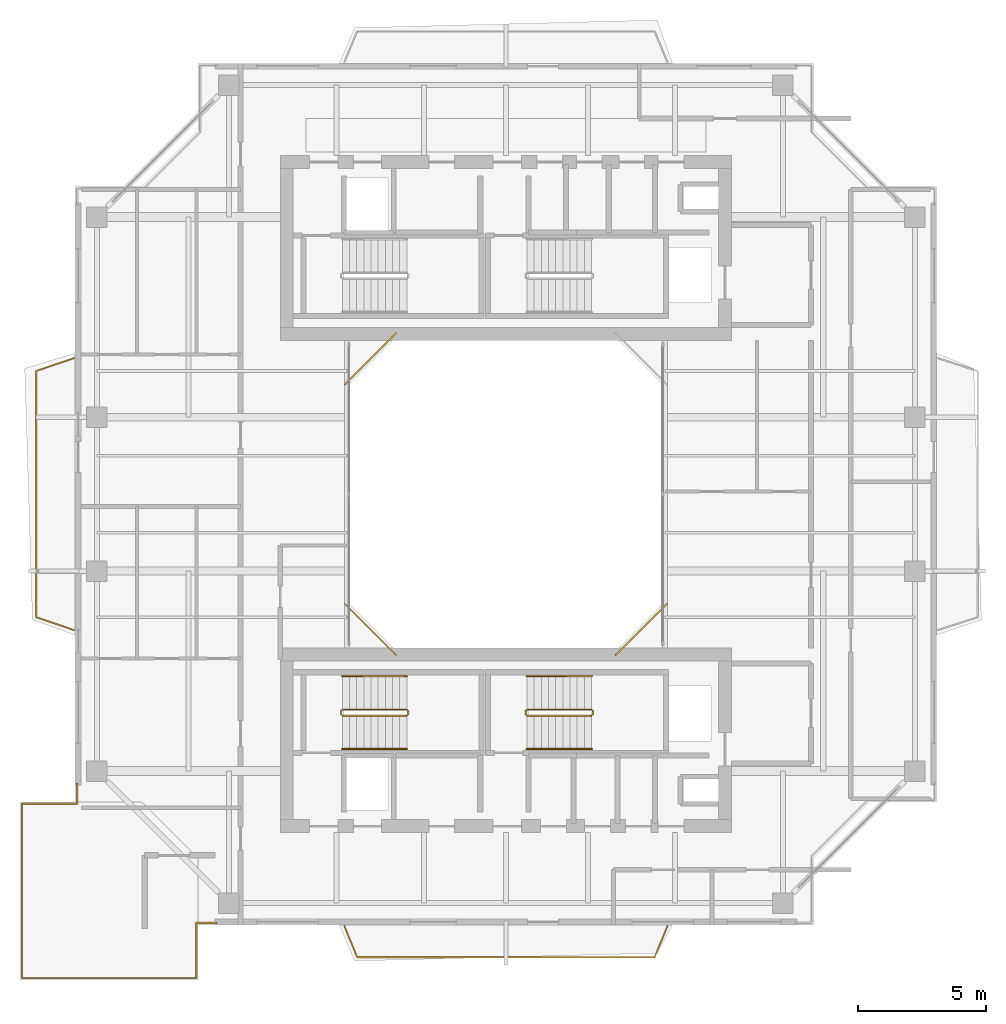
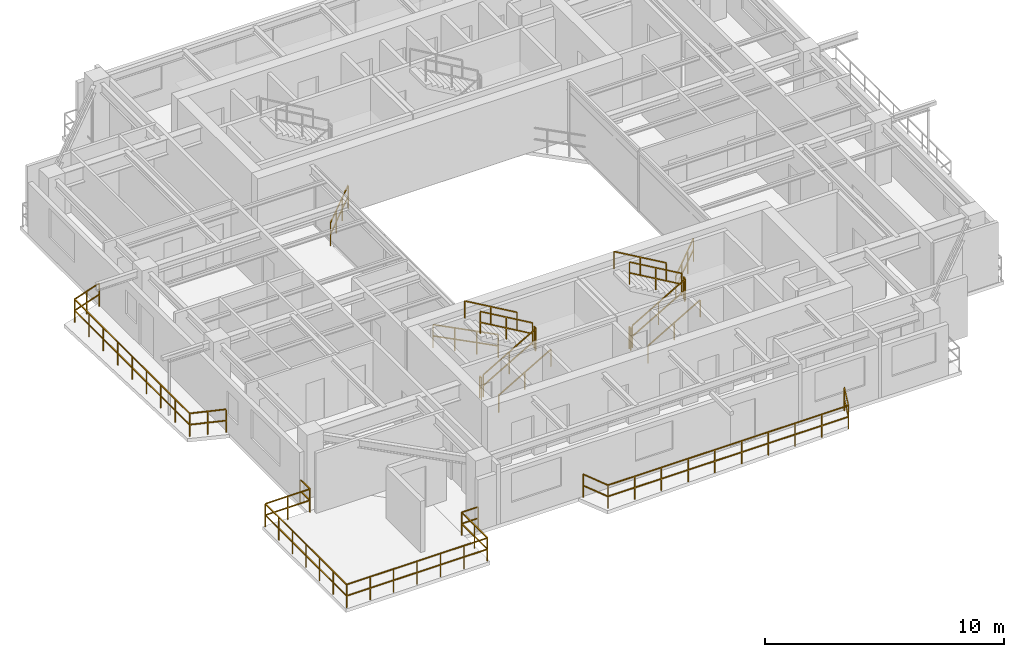
# One storey, part 13 of 15: 18 railings.
"""IFC4 building model written with IfcOpenShell, lengths in metres."""

from ifc_helpers import new_model, si_unit, direction, frame, origin, origin_2d, place, context, subcontext, project, spatial, rectangle, extrude, material, type_object, element, save


model = new_model("IFC4")

# Units and contexts
model_context = context("Model", 3, precision=1e-05, world=origin(), true_north=direction((0.0, 1.0)))
body_context = subcontext(model_context, "Body", "Model", "MODEL_VIEW")
ifc_project = project(units=[si_unit("LENGTHUNIT", "METRE"), si_unit("AREAUNIT", "SQUARE_METRE"), si_unit("VOLUMEUNIT", "CUBIC_METRE"), si_unit("PLANEANGLEUNIT", "RADIAN"), si_unit("MASSUNIT", "GRAM", prefix="KILO"), si_unit("THERMODYNAMICTEMPERATUREUNIT", "KELVIN"), si_unit("POWERUNIT", "WATT")], contexts=[model_context])

# Site, building, storey
site_placement = place(None, origin())
site = spatial("IfcSite", under=ifc_project, at=site_placement, CompositionType="ELEMENT")
building_placement = place(site_placement, origin())
building = spatial("IfcBuilding", under=site, at=building_placement, Name="Qiaomeng Ring Towers", CompositionType="ELEMENT")
storey_placement = place(building_placement, frame((0.0, 0.0, 193.75)))
storey = spatial("IfcBuildingStorey", under=building, at=storey_placement, Name="L56", CompositionType="ELEMENT", Elevation=193.75)

# Railings
ifc_material_1 = material(Name="Low-E pale-green laminated safety glass", Category="glass")
railing_type_1 = type_object("IfcRailingType", Name="ARC-RL-BAL1", PredefinedType="BALUSTRADE", material=ifc_material_1)
railing_1_placement = place(storey_placement, frame((23.280029296875, 16.719970703125, 0.0)))
element("IfcRailing", 1, at=railing_1_placement, inside=storey, type_object=railing_type_1, Name="L56 Balustrade ARC-BAL-WELL1-L56-1", PredefinedType="BALUSTRADE", context=body_context, shape_type="SweptSolid", body=[
    extrude(rectangle(XDim=0.048095703125, YDim=0.048095703125, at=origin_2d()), frame((0.0, 0.0, 1.17578125), z_axis=(0.707106781187, 0.707106781187, 0.0), x_axis=(-0.707106781187, 0.707106781187, 0.0)), (0.0, 0.0, 1.0), 2.828369140625),
    extrude(rectangle(XDim=0.048095703125, YDim=0.048095703125, at=origin_2d()), frame((0.0, 0.0, 0.60009765625), z_axis=(0.707106781187, 0.707106781187, 0.0), x_axis=(-0.707106781187, 0.707106781187, 0.0)), (0.0, 0.0, 1.0), 2.828369140625),
    extrude(rectangle(XDim=0.0419921875, YDim=0.0419921875, at=origin_2d()), origin(), (0.0, 0.0, 1.0), 1.15185546875),
    extrude(rectangle(XDim=0.0419921875, YDim=0.0419921875, at=origin_2d()), frame((0.666748046875, 0.666748046875, 0.0)), (0.0, 0.0, 1.0), 1.15185546875),
    extrude(rectangle(XDim=0.0419921875, YDim=0.0419921875, at=origin_2d()), frame((1.333251953125, 1.333251953125, 0.0)), (0.0, 0.0, 1.0), 1.15185546875),
    extrude(rectangle(XDim=0.0419921875, YDim=0.0419921875, at=origin_2d()), frame((2.0, 2.0, 0.0)), (0.0, 0.0, 1.0), 1.15185546875),
])
railing_2_placement = place(storey_placement, frame((14.719970703125, 29.280029296875, 0.0)))
element("IfcRailing", 2, at=railing_2_placement, inside=storey, type_object=railing_type_1, Name="L56 Balustrade ARC-BAL-WELL1-L56-3", PredefinedType="BALUSTRADE", context=body_context, shape_type="SweptSolid", body=[
    extrude(rectangle(XDim=0.048095703125, YDim=0.048095703125, at=origin_2d()), frame((0.0, 0.0, 1.17578125), z_axis=(-0.707106781187, -0.707106781187, 0.0), x_axis=(0.707106781187, -0.707106781187, 0.0)), (0.0, 0.0, 1.0), 2.828369140625),
    extrude(rectangle(XDim=0.048095703125, YDim=0.048095703125, at=origin_2d()), frame((0.0, 0.0, 0.60009765625), z_axis=(-0.707106781187, -0.707106781187, 0.0), x_axis=(0.707106781187, -0.707106781187, 0.0)), (0.0, 0.0, 1.0), 2.828369140625),
    extrude(rectangle(XDim=0.0419921875, YDim=0.0419921875, at=origin_2d()), origin(), (0.0, 0.0, 1.0), 1.15185546875),
    extrude(rectangle(XDim=0.0419921875, YDim=0.0419921875, at=origin_2d()), frame((-0.666748046875, -0.666748046875, 0.0)), (0.0, 0.0, 1.0), 1.15185546875),
    extrude(rectangle(XDim=0.0419921875, YDim=0.0419921875, at=origin_2d()), frame((-1.333251953125, -1.333251953125, 0.0)), (0.0, 0.0, 1.0), 1.15185546875),
    extrude(rectangle(XDim=0.0419921875, YDim=0.0419921875, at=origin_2d()), frame((-2.0, -2.0, 0.0)), (0.0, 0.0, 1.0), 1.15185546875),
])
railing_3_placement = place(storey_placement, frame((12.719970703125, 18.719970703125, 0.0)))
element("IfcRailing", 3, at=railing_3_placement, inside=storey, type_object=railing_type_1, Name="L56 Balustrade ARC-BAL-WELL1-L56-4", PredefinedType="BALUSTRADE", context=body_context, shape_type="SweptSolid", body=[
    extrude(rectangle(XDim=0.048095703125, YDim=0.048095703125, at=origin_2d()), frame((0.0, 0.0, 1.17578125), z_axis=(0.707106781187, -0.707106781187, 0.0), x_axis=(0.707106781187, 0.707106781187, 0.0)), (0.0, 0.0, 1.0), 2.828369140625),
    extrude(rectangle(XDim=0.048095703125, YDim=0.048095703125, at=origin_2d()), frame((0.0, 0.0, 0.60009765625), z_axis=(0.707106781187, -0.707106781187, 0.0), x_axis=(0.707106781187, 0.707106781187, 0.0)), (0.0, 0.0, 1.0), 2.828369140625),
    extrude(rectangle(XDim=0.0419921875, YDim=0.0419921875, at=origin_2d()), origin(), (0.0, 0.0, 1.0), 1.15185546875),
    extrude(rectangle(XDim=0.0419921875, YDim=0.0419921875, at=origin_2d()), frame((0.666748046875, -0.666748046875, 0.0)), (0.0, 0.0, 1.0), 1.15185546875),
    extrude(rectangle(XDim=0.0419921875, YDim=0.0419921875, at=origin_2d()), frame((1.333251953125, -1.333251953125, 0.0)), (0.0, 0.0, 1.0), 1.15185546875),
    extrude(rectangle(XDim=0.0419921875, YDim=0.0419921875, at=origin_2d()), frame((2.0, -2.0, 0.0)), (0.0, 0.0, 1.0), 1.15185546875),
])
railing_4_placement = place(storey_placement, frame((2.280029296875, 11.719970703125, 0.0)))
element("IfcRailing", 4, at=railing_4_placement, inside=storey, type_object=railing_type_1, Name="L56 Balustrade ARC-BAL-L56-SPIRAL-SW", PredefinedType="BALUSTRADE", context=body_context, shape_type="SweptSolid", body=[
    extrude(rectangle(XDim=0.048095703125, YDim=0.048095703125, at=origin_2d()), frame((0.0, 0.0, 1.17578125), z_axis=(0.0, -1.0, 0.0), x_axis=(1.0, 0.0, 0.0)), (0.0, 0.0, 1.0), 0.800048828125),
    extrude(rectangle(XDim=0.048095703125, YDim=0.048095703125, at=origin_2d()), frame((0.0, 0.0, 0.60009765625), z_axis=(0.0, -1.0, 0.0), x_axis=(1.0, 0.0, 0.0)), (0.0, 0.0, 1.0), 0.800048828125),
    extrude(rectangle(XDim=0.048095703125, YDim=0.048095703125, at=origin_2d()), frame((0.0, -0.800048828125, 1.17578125), z_axis=(-1.0, 0.0, 0.0), x_axis=(0.0, -1.0, 0.0)), (0.0, 0.0, 1.0), 2.150146484375),
    extrude(rectangle(XDim=0.048095703125, YDim=0.048095703125, at=origin_2d()), frame((0.0, -0.800048828125, 0.60009765625), z_axis=(-1.0, 0.0, 0.0), x_axis=(0.0, -1.0, 0.0)), (0.0, 0.0, 1.0), 2.150146484375),
    extrude(rectangle(XDim=0.048095703125, YDim=0.048095703125, at=origin_2d()), frame((-2.150146484375, -0.800048828125, 1.17578125), z_axis=(0.0, -1.0, 0.0), x_axis=(1.0, 0.0, 0.0)), (0.0, 0.0, 1.0), 6.7900390625),
    extrude(rectangle(XDim=0.048095703125, YDim=0.048095703125, at=origin_2d()), frame((-2.150146484375, -0.800048828125, 0.60009765625), z_axis=(0.0, -1.0, 0.0), x_axis=(1.0, 0.0, 0.0)), (0.0, 0.0, 1.0), 6.7900390625),
    extrude(rectangle(XDim=0.048095703125, YDim=0.048095703125, at=origin_2d()), frame((-2.150146484375, -7.590087890625, 1.17578125), z_axis=(1.0, 0.0, 0.0), x_axis=(0.0, 1.0, 0.0)), (0.0, 0.0, 1.0), 6.7900390625),
    extrude(rectangle(XDim=0.048095703125, YDim=0.048095703125, at=origin_2d()), frame((-2.150146484375, -7.590087890625, 0.60009765625), z_axis=(1.0, 0.0, 0.0), x_axis=(0.0, 1.0, 0.0)), (0.0, 0.0, 1.0), 6.7900390625),
    extrude(rectangle(XDim=0.048095703125, YDim=0.048095703125, at=origin_2d()), frame((4.639892578125, -7.590087890625, 1.17578125), z_axis=(0.0, 1.0, 0.0), x_axis=(-1.0, 0.0, 0.0)), (0.0, 0.0, 1.0), 2.150146484375),
    extrude(rectangle(XDim=0.048095703125, YDim=0.048095703125, at=origin_2d()), frame((4.639892578125, -7.590087890625, 0.60009765625), z_axis=(0.0, 1.0, 0.0), x_axis=(-1.0, 0.0, 0.0)), (0.0, 0.0, 1.0), 2.150146484375),
    extrude(rectangle(XDim=0.048095703125, YDim=0.048095703125, at=origin_2d()), frame((4.639892578125, -5.43994140625, 1.17578125), z_axis=(1.0, 0.0, 0.0), x_axis=(0.0, 1.0, 0.0)), (0.0, 0.0, 1.0), 0.800048828125),
    extrude(rectangle(XDim=0.048095703125, YDim=0.048095703125, at=origin_2d()), frame((4.639892578125, -5.43994140625, 0.60009765625), z_axis=(1.0, 0.0, 0.0), x_axis=(0.0, 1.0, 0.0)), (0.0, 0.0, 1.0), 0.800048828125),
    extrude(rectangle(XDim=0.0419921875, YDim=0.0419921875, at=origin_2d()), origin(), (0.0, 0.0, 1.0), 1.15185546875),
    extrude(rectangle(XDim=0.0419921875, YDim=0.0419921875, at=origin_2d()), frame((0.0, -0.800048828125, 0.0)), (0.0, 0.0, 1.0), 1.15185546875),
    extrude(rectangle(XDim=0.0419921875, YDim=0.0419921875, at=origin_2d()), frame((-1.0751953125, -0.800048828125, 0.0)), (0.0, 0.0, 1.0), 1.15185546875),
    extrude(rectangle(XDim=0.0419921875, YDim=0.0419921875, at=origin_2d()), frame((-2.150146484375, -0.800048828125, 0.0)), (0.0, 0.0, 1.0), 1.15185546875),
    extrude(rectangle(XDim=0.0419921875, YDim=0.0419921875, at=origin_2d()), frame((-2.150146484375, -1.931640625, 0.0)), (0.0, 0.0, 1.0), 1.15185546875),
    extrude(rectangle(XDim=0.0419921875, YDim=0.0419921875, at=origin_2d()), frame((-2.150146484375, -3.0634765625, 0.0)), (0.0, 0.0, 1.0), 1.15185546875),
    extrude(rectangle(XDim=0.0419921875, YDim=0.0419921875, at=origin_2d()), frame((-2.150146484375, -4.195068359375, 0.0)), (0.0, 0.0, 1.0), 1.15185546875),
    extrude(rectangle(XDim=0.0419921875, YDim=0.0419921875, at=origin_2d()), frame((-2.150146484375, -5.32666015625, 0.0)), (0.0, 0.0, 1.0), 1.15185546875),
    extrude(rectangle(XDim=0.0419921875, YDim=0.0419921875, at=origin_2d()), frame((-2.150146484375, -6.45849609375, 0.0)), (0.0, 0.0, 1.0), 1.15185546875),
    extrude(rectangle(XDim=0.0419921875, YDim=0.0419921875, at=origin_2d()), frame((-2.150146484375, -7.590087890625, 0.0)), (0.0, 0.0, 1.0), 1.15185546875),
    extrude(rectangle(XDim=0.0419921875, YDim=0.0419921875, at=origin_2d()), frame((-1.0185546875, -7.590087890625, 0.0)), (0.0, 0.0, 1.0), 1.15185546875),
    extrude(rectangle(XDim=0.0419921875, YDim=0.0419921875, at=origin_2d()), frame((0.11328125, -7.590087890625, 0.0)), (0.0, 0.0, 1.0), 1.15185546875),
    extrude(rectangle(XDim=0.0419921875, YDim=0.0419921875, at=origin_2d()), frame((1.244873046875, -7.590087890625, 0.0)), (0.0, 0.0, 1.0), 1.15185546875),
    extrude(rectangle(XDim=0.0419921875, YDim=0.0419921875, at=origin_2d()), frame((2.37646484375, -7.590087890625, 0.0)), (0.0, 0.0, 1.0), 1.15185546875),
    extrude(rectangle(XDim=0.0419921875, YDim=0.0419921875, at=origin_2d()), frame((3.50830078125, -7.590087890625, 0.0)), (0.0, 0.0, 1.0), 1.15185546875),
    extrude(rectangle(XDim=0.0419921875, YDim=0.0419921875, at=origin_2d()), frame((4.639892578125, -7.590087890625, 0.0)), (0.0, 0.0, 1.0), 1.15185546875),
    extrude(rectangle(XDim=0.0419921875, YDim=0.0419921875, at=origin_2d()), frame((4.639892578125, -6.51513671875, 0.0)), (0.0, 0.0, 1.0), 1.15185546875),
    extrude(rectangle(XDim=0.0419921875, YDim=0.0419921875, at=origin_2d()), frame((4.639892578125, -5.43994140625, 0.0)), (0.0, 0.0, 1.0), 1.15185546875),
    extrude(rectangle(XDim=0.0419921875, YDim=0.0419921875, at=origin_2d()), frame((5.43994140625, -5.43994140625, 0.0)), (0.0, 0.0, 1.0), 1.15185546875),
])
railing_5_placement = place(storey_placement, frame((12.699951171875, 6.14990234375, 0.0)))
element("IfcRailing", 5, at=railing_5_placement, inside=storey, type_object=railing_type_1, Name="L56 Balustrade ARC-BAL-L56-T1-S", PredefinedType="BALUSTRADE", context=body_context, shape_type="SweptSolid", body=[
    extrude(rectangle(XDim=0.048095703125, YDim=0.048095703125, at=origin_2d()), frame((0.0, 0.0, 1.17578125), z_axis=(0.381912525892, -0.924198475743, 0.0), x_axis=(0.924198475743, 0.381912525892, 0.0)), (0.0, 0.0, 1.0), 1.30908203125),
    extrude(rectangle(XDim=0.048095703125, YDim=0.048095703125, at=origin_2d()), frame((0.0, 0.0, 0.60009765625), z_axis=(0.381912525892, -0.924198475743, 0.0), x_axis=(0.924198475743, 0.381912525892, 0.0)), (0.0, 0.0, 1.0), 1.30908203125),
    extrude(rectangle(XDim=0.048095703125, YDim=0.048095703125, at=origin_2d()), frame((0.5, -1.2099609375, 1.17578125), z_axis=(1.0, 0.0, 0.0), x_axis=(0.0, 1.0, 0.0)), (0.0, 0.0, 1.0), 11.60009765625),
    extrude(rectangle(XDim=0.048095703125, YDim=0.048095703125, at=origin_2d()), frame((0.5, -1.2099609375, 0.60009765625), z_axis=(1.0, 0.0, 0.0), x_axis=(0.0, 1.0, 0.0)), (0.0, 0.0, 1.0), 11.60009765625),
    extrude(rectangle(XDim=0.048095703125, YDim=0.048095703125, at=origin_2d()), frame((12.10009765625, -1.2099609375, 1.17578125), z_axis=(0.381912525892, 0.924198475743, 0.0), x_axis=(-0.924198475743, 0.381912525892, 0.0)), (0.0, 0.0, 1.0), 1.30908203125),
    extrude(rectangle(XDim=0.048095703125, YDim=0.048095703125, at=origin_2d()), frame((12.10009765625, -1.2099609375, 0.60009765625), z_axis=(0.381912525892, 0.924198475743, 0.0), x_axis=(-0.924198475743, 0.381912525892, 0.0)), (0.0, 0.0, 1.0), 1.30908203125),
    extrude(rectangle(XDim=0.0419921875, YDim=0.0419921875, at=origin_2d()), origin(), (0.0, 0.0, 1.0), 1.15185546875),
    extrude(rectangle(XDim=0.0419921875, YDim=0.0419921875, at=origin_2d()), frame((0.5, -1.2099609375, 0.0)), (0.0, 0.0, 1.0), 1.15185546875),
    extrude(rectangle(XDim=0.0419921875, YDim=0.0419921875, at=origin_2d()), frame((1.788818359375, -1.2099609375, 0.0)), (0.0, 0.0, 1.0), 1.15185546875),
    extrude(rectangle(XDim=0.0419921875, YDim=0.0419921875, at=origin_2d()), frame((3.077880859375, -1.2099609375, 0.0)), (0.0, 0.0, 1.0), 1.15185546875),
    extrude(rectangle(XDim=0.0419921875, YDim=0.0419921875, at=origin_2d()), frame((4.36669921875, -1.2099609375, 0.0)), (0.0, 0.0, 1.0), 1.15185546875),
    extrude(rectangle(XDim=0.0419921875, YDim=0.0419921875, at=origin_2d()), frame((5.655517578125, -1.2099609375, 0.0)), (0.0, 0.0, 1.0), 1.15185546875),
    extrude(rectangle(XDim=0.0419921875, YDim=0.0419921875, at=origin_2d()), frame((6.944580078125, -1.2099609375, 0.0)), (0.0, 0.0, 1.0), 1.15185546875),
    extrude(rectangle(XDim=0.0419921875, YDim=0.0419921875, at=origin_2d()), frame((8.2333984375, -1.2099609375, 0.0)), (0.0, 0.0, 1.0), 1.15185546875),
    extrude(rectangle(XDim=0.0419921875, YDim=0.0419921875, at=origin_2d()), frame((9.522216796875, -1.2099609375, 0.0)), (0.0, 0.0, 1.0), 1.15185546875),
    extrude(rectangle(XDim=0.0419921875, YDim=0.0419921875, at=origin_2d()), frame((10.811279296875, -1.2099609375, 0.0)), (0.0, 0.0, 1.0), 1.15185546875),
    extrude(rectangle(XDim=0.0419921875, YDim=0.0419921875, at=origin_2d()), frame((12.10009765625, -1.2099609375, 0.0)), (0.0, 0.0, 1.0), 1.15185546875),
    extrude(rectangle(XDim=0.0419921875, YDim=0.0419921875, at=origin_2d()), frame((12.60009765625, 0.0, 0.0)), (0.0, 0.0, 1.0), 1.15185546875),
])
railing_6_placement = place(storey_placement, frame((2.14990234375, 17.699951171875, 0.0)))
element("IfcRailing", 6, at=railing_6_placement, inside=storey, type_object=railing_type_1, Name="L56 Balustrade ARC-BAL-L56-T1-W", PredefinedType="BALUSTRADE", context=body_context, shape_type="SweptSolid", body=[
    extrude(rectangle(XDim=0.048095703125, YDim=0.048095703125, at=origin_2d()), frame((0.0, 0.0, 1.17578125), z_axis=(-0.946731524739, 0.322023943309, 0.0), x_axis=(-0.322023943309, -0.946731524739, 0.0)), (0.0, 0.0, 1.0), 1.552734375),
    extrude(rectangle(XDim=0.048095703125, YDim=0.048095703125, at=origin_2d()), frame((0.0, 0.0, 0.60009765625), z_axis=(-0.946731524739, 0.322023943309, 0.0), x_axis=(-0.322023943309, -0.946731524739, 0.0)), (0.0, 0.0, 1.0), 1.552734375),
    extrude(rectangle(XDim=0.048095703125, YDim=0.048095703125, at=origin_2d()), frame((-1.469970703125, 0.5, 1.17578125), z_axis=(0.0, 1.0, 0.0), x_axis=(-1.0, 0.0, 0.0)), (0.0, 0.0, 1.0), 9.60009765625),
    extrude(rectangle(XDim=0.048095703125, YDim=0.048095703125, at=origin_2d()), frame((-1.469970703125, 0.5, 0.60009765625), z_axis=(0.0, 1.0, 0.0), x_axis=(-1.0, 0.0, 0.0)), (0.0, 0.0, 1.0), 9.60009765625),
    extrude(rectangle(XDim=0.048095703125, YDim=0.048095703125, at=origin_2d()), frame((-1.469970703125, 10.10009765625, 1.17578125), z_axis=(0.946731524739, 0.322023943309, 0.0), x_axis=(-0.322023943309, 0.946731524739, 0.0)), (0.0, 0.0, 1.0), 1.552734375),
    extrude(rectangle(XDim=0.048095703125, YDim=0.048095703125, at=origin_2d()), frame((-1.469970703125, 10.10009765625, 0.60009765625), z_axis=(0.946731524739, 0.322023943309, 0.0), x_axis=(-0.322023943309, 0.946731524739, 0.0)), (0.0, 0.0, 1.0), 1.552734375),
    extrude(rectangle(XDim=0.0419921875, YDim=0.0419921875, at=origin_2d()), origin(), (0.0, 0.0, 1.0), 1.15185546875),
    extrude(rectangle(XDim=0.0419921875, YDim=0.0419921875, at=origin_2d()), frame((-0.73486328125, 0.25, 0.0)), (0.0, 0.0, 1.0), 1.15185546875),
    extrude(rectangle(XDim=0.0419921875, YDim=0.0419921875, at=origin_2d()), frame((-1.469970703125, 0.5, 0.0)), (0.0, 0.0, 1.0), 1.15185546875),
    extrude(rectangle(XDim=0.0419921875, YDim=0.0419921875, at=origin_2d()), frame((-1.469970703125, 1.699951171875, 0.0)), (0.0, 0.0, 1.0), 1.15185546875),
    extrude(rectangle(XDim=0.0419921875, YDim=0.0419921875, at=origin_2d()), frame((-1.469970703125, 2.89990234375, 0.0)), (0.0, 0.0, 1.0), 1.15185546875),
    extrude(rectangle(XDim=0.0419921875, YDim=0.0419921875, at=origin_2d()), frame((-1.469970703125, 4.10009765625, 0.0)), (0.0, 0.0, 1.0), 1.15185546875),
    extrude(rectangle(XDim=0.0419921875, YDim=0.0419921875, at=origin_2d()), frame((-1.469970703125, 5.300048828125, 0.0)), (0.0, 0.0, 1.0), 1.15185546875),
    extrude(rectangle(XDim=0.0419921875, YDim=0.0419921875, at=origin_2d()), frame((-1.469970703125, 6.5, 0.0)), (0.0, 0.0, 1.0), 1.15185546875),
    extrude(rectangle(XDim=0.0419921875, YDim=0.0419921875, at=origin_2d()), frame((-1.469970703125, 7.7001953125, 0.0)), (0.0, 0.0, 1.0), 1.15185546875),
    extrude(rectangle(XDim=0.0419921875, YDim=0.0419921875, at=origin_2d()), frame((-1.469970703125, 8.900146484375, 0.0)), (0.0, 0.0, 1.0), 1.15185546875),
    extrude(rectangle(XDim=0.0419921875, YDim=0.0419921875, at=origin_2d()), frame((-1.469970703125, 10.10009765625, 0.0)), (0.0, 0.0, 1.0), 1.15185546875),
    extrude(rectangle(XDim=0.0419921875, YDim=0.0419921875, at=origin_2d()), frame((-0.73486328125, 10.35009765625, 0.0)), (0.0, 0.0, 1.0), 1.15185546875),
    extrude(rectangle(XDim=0.0419921875, YDim=0.0419921875, at=origin_2d()), frame((0.0, 10.60009765625, 0.0)), (0.0, 0.0, 1.0), 1.15185546875),
])
ifc_material_2 = material(Name="Galvanised steel", Category="steel")
railing_type_2 = type_object("IfcRailingType", Name="ARC-RL-GUARD", PredefinedType="GUARDRAIL", material=ifc_material_2)
railing_7_placement = place(storey_placement, frame((12.6201171875, 14.360107421875, 0.16259765625)))
element("IfcRailing", 7, at=railing_7_placement, inside=storey, type_object=railing_type_2, Name="L56 ST3 stair guard 1", PredefinedType="GUARDRAIL", context=body_context, shape_type="SweptSolid", body=[
    extrude(rectangle(XDim=0.048095703125, YDim=0.048095703125, at=origin_2d()), frame((0.0, 0.0, 1.1259765625), z_axis=(0.864892226395, 0.0, 0.501957604506), x_axis=(0.0, 1.0, 0.0)), (0.0, 0.0, 1.0), 2.913330078125),
    extrude(rectangle(XDim=0.048095703125, YDim=0.048095703125, at=origin_2d()), frame((0.0, 0.0, 0.574951171875), z_axis=(0.864892226395, 0.0, 0.501957604506), x_axis=(0.0, 1.0, 0.0)), (0.0, 0.0, 1.0), 2.913330078125),
    extrude(rectangle(XDim=0.0419921875, YDim=0.0419921875, at=origin_2d()), origin(), (0.0, 0.0, 1.0), 1.101806640625),
    extrude(rectangle(XDim=0.0419921875, YDim=0.0419921875, at=origin_2d()), frame((1.259765625, 0.0, 0.731201171875)), (0.0, 0.0, 1.0), 1.101806640625),
    extrude(rectangle(XDim=0.0419921875, YDim=0.0419921875, at=origin_2d()), frame((2.519775390625, 0.0, 1.46240234375)), (0.0, 0.0, 1.0), 1.101806640625),
])
railing_8_placement = place(storey_placement, frame((15.18994140625, 14.409912109375, 1.625)))
element("IfcRailing", 8, at=railing_8_placement, inside=storey, type_object=railing_type_2, Name="L56 ST3 stair guard 2", PredefinedType="GUARDRAIL", context=body_context, shape_type="SweptSolid", body=[
    extrude(rectangle(XDim=0.048095703125, YDim=0.048095703125, at=origin_2d()), frame((0.0, 0.0, 1.1259765625), z_axis=(0.0, 1.0, 0.0), x_axis=(-1.0, 0.0, 0.0)), (0.0, 0.0, 1.0), 0.14013671875),
    extrude(rectangle(XDim=0.048095703125, YDim=0.048095703125, at=origin_2d()), frame((0.0, 0.0, 0.574951171875), z_axis=(0.0, 1.0, 0.0), x_axis=(-1.0, 0.0, 0.0)), (0.0, 0.0, 1.0), 0.14013671875),
    extrude(rectangle(XDim=0.0419921875, YDim=0.0419921875, at=origin_2d()), origin(), (0.0, 0.0, 1.0), 1.101806640625),
    extrude(rectangle(XDim=0.0419921875, YDim=0.0419921875, at=origin_2d()), frame((0.0, 0.14013671875, 0.0)), (0.0, 0.0, 1.0), 1.101806640625),
])
railing_9_placement = place(storey_placement, frame((15.139892578125, 14.60009765625, 1.78759765625)))
element("IfcRailing", 9, at=railing_9_placement, inside=storey, type_object=railing_type_2, Name="L56 ST3 stair guard 3", PredefinedType="GUARDRAIL", context=body_context, shape_type="SweptSolid", body=[
    extrude(rectangle(XDim=0.048095703125, YDim=0.048095703125, at=origin_2d()), frame((0.0, 0.0, 1.1259765625), z_axis=(-0.864892226395, 0.0, 0.501957604506), x_axis=(0.0, -1.0, 0.0)), (0.0, 0.0, 1.0), 2.913330078125),
    extrude(rectangle(XDim=0.048095703125, YDim=0.048095703125, at=origin_2d()), frame((0.0, 0.0, 0.574951171875), z_axis=(-0.864892226395, 0.0, 0.501957604506), x_axis=(0.0, -1.0, 0.0)), (0.0, 0.0, 1.0), 2.913330078125),
    extrude(rectangle(XDim=0.0419921875, YDim=0.0419921875, at=origin_2d()), origin(), (0.0, 0.0, 1.0), 1.101806640625),
    extrude(rectangle(XDim=0.0419921875, YDim=0.0419921875, at=origin_2d()), frame((-1.259765625, 0.0, 0.731201171875)), (0.0, 0.0, 1.0), 1.101806640625),
    extrude(rectangle(XDim=0.0419921875, YDim=0.0419921875, at=origin_2d()), frame((-2.519775390625, 0.0, 1.46240234375)), (0.0, 0.0, 1.0), 1.101806640625),
])
railing_10_placement = place(storey_placement, frame((12.570068359375, 14.409912109375, 0.0)))
element("IfcRailing", 10, at=railing_10_placement, inside=storey, type_object=railing_type_2, Name="L56 ST3 stair guard 4", PredefinedType="GUARDRAIL", context=body_context, shape_type="SweptSolid", body=[
    extrude(rectangle(XDim=0.048095703125, YDim=0.048095703125, at=origin_2d()), frame((0.0, 0.0, 1.1259765625), z_axis=(0.0, 1.0, 0.0), x_axis=(-1.0, 0.0, 0.0)), (0.0, 0.0, 1.0), 0.14013671875),
    extrude(rectangle(XDim=0.048095703125, YDim=0.048095703125, at=origin_2d()), frame((0.0, 0.0, 0.574951171875), z_axis=(0.0, 1.0, 0.0), x_axis=(-1.0, 0.0, 0.0)), (0.0, 0.0, 1.0), 0.14013671875),
    extrude(rectangle(XDim=0.0419921875, YDim=0.0419921875, at=origin_2d()), origin(), (0.0, 0.0, 1.0), 1.101806640625),
    extrude(rectangle(XDim=0.0419921875, YDim=0.0419921875, at=origin_2d()), frame((0.0, 0.14013671875, 0.0)), (0.0, 0.0, 1.0), 1.101806640625),
])
railing_11_placement = place(storey_placement, frame((19.820068359375, 14.360107421875, 0.16259765625)))
element("IfcRailing", 11, at=railing_11_placement, inside=storey, type_object=railing_type_2, Name="L56 ST4 stair guard 1", PredefinedType="GUARDRAIL", context=body_context, shape_type="SweptSolid", body=[
    extrude(rectangle(XDim=0.048095703125, YDim=0.048095703125, at=origin_2d()), frame((0.0, 0.0, 1.1259765625), z_axis=(0.864913338283, 0.0, 0.50192122615), x_axis=(0.0, 1.0, 0.0)), (0.0, 0.0, 1.0), 2.91357421875),
    extrude(rectangle(XDim=0.048095703125, YDim=0.048095703125, at=origin_2d()), frame((0.0, 0.0, 0.574951171875), z_axis=(0.864913338283, 0.0, 0.50192122615), x_axis=(0.0, 1.0, 0.0)), (0.0, 0.0, 1.0), 2.91357421875),
    extrude(rectangle(XDim=0.0419921875, YDim=0.0419921875, at=origin_2d()), origin(), (0.0, 0.0, 1.0), 1.101806640625),
    extrude(rectangle(XDim=0.0419921875, YDim=0.0419921875, at=origin_2d()), frame((1.260009765625, 0.0, 0.731201171875)), (0.0, 0.0, 1.0), 1.101806640625),
    extrude(rectangle(XDim=0.0419921875, YDim=0.0419921875, at=origin_2d()), frame((2.52001953125, 0.0, 1.46240234375)), (0.0, 0.0, 1.0), 1.101806640625),
])
railing_12_placement = place(storey_placement, frame((22.389892578125, 14.409912109375, 1.625)))
element("IfcRailing", 12, at=railing_12_placement, inside=storey, type_object=railing_type_2, Name="L56 ST4 stair guard 2", PredefinedType="GUARDRAIL", context=body_context, shape_type="SweptSolid", body=[
    extrude(rectangle(XDim=0.048095703125, YDim=0.048095703125, at=origin_2d()), frame((0.0, 0.0, 1.1259765625), z_axis=(0.0, 1.0, 0.0), x_axis=(-1.0, 0.0, 0.0)), (0.0, 0.0, 1.0), 0.14013671875),
    extrude(rectangle(XDim=0.048095703125, YDim=0.048095703125, at=origin_2d()), frame((0.0, 0.0, 0.574951171875), z_axis=(0.0, 1.0, 0.0), x_axis=(-1.0, 0.0, 0.0)), (0.0, 0.0, 1.0), 0.14013671875),
    extrude(rectangle(XDim=0.0419921875, YDim=0.0419921875, at=origin_2d()), origin(), (0.0, 0.0, 1.0), 1.101806640625),
    extrude(rectangle(XDim=0.0419921875, YDim=0.0419921875, at=origin_2d()), frame((0.0, 0.14013671875, 0.0)), (0.0, 0.0, 1.0), 1.101806640625),
])
railing_13_placement = place(storey_placement, frame((22.340087890625, 14.60009765625, 1.78759765625)))
element("IfcRailing", 13, at=railing_13_placement, inside=storey, type_object=railing_type_2, Name="L56 ST4 stair guard 3", PredefinedType="GUARDRAIL", context=body_context, shape_type="SweptSolid", body=[
    extrude(rectangle(XDim=0.048095703125, YDim=0.048095703125, at=origin_2d()), frame((0.0, 0.0, 1.1259765625), z_axis=(-0.864913338283, 0.0, 0.50192122615), x_axis=(0.0, -1.0, 0.0)), (0.0, 0.0, 1.0), 2.91357421875),
    extrude(rectangle(XDim=0.048095703125, YDim=0.048095703125, at=origin_2d()), frame((0.0, 0.0, 0.574951171875), z_axis=(-0.864913338283, 0.0, 0.50192122615), x_axis=(0.0, -1.0, 0.0)), (0.0, 0.0, 1.0), 2.91357421875),
    extrude(rectangle(XDim=0.0419921875, YDim=0.0419921875, at=origin_2d()), origin(), (0.0, 0.0, 1.0), 1.101806640625),
    extrude(rectangle(XDim=0.0419921875, YDim=0.0419921875, at=origin_2d()), frame((-1.260009765625, 0.0, 0.731201171875)), (0.0, 0.0, 1.0), 1.101806640625),
    extrude(rectangle(XDim=0.0419921875, YDim=0.0419921875, at=origin_2d()), frame((-2.52001953125, 0.0, 1.46240234375)), (0.0, 0.0, 1.0), 1.101806640625),
])
railing_14_placement = place(storey_placement, frame((19.77001953125, 14.409912109375, 0.0)))
element("IfcRailing", 14, at=railing_14_placement, inside=storey, type_object=railing_type_2, Name="L56 ST4 stair guard 4", PredefinedType="GUARDRAIL", context=body_context, shape_type="SweptSolid", body=[
    extrude(rectangle(XDim=0.048095703125, YDim=0.048095703125, at=origin_2d()), frame((0.0, 0.0, 1.1259765625), z_axis=(0.0, 1.0, 0.0), x_axis=(-1.0, 0.0, 0.0)), (0.0, 0.0, 1.0), 0.14013671875),
    extrude(rectangle(XDim=0.048095703125, YDim=0.048095703125, at=origin_2d()), frame((0.0, 0.0, 0.574951171875), z_axis=(0.0, 1.0, 0.0), x_axis=(-1.0, 0.0, 0.0)), (0.0, 0.0, 1.0), 0.14013671875),
    extrude(rectangle(XDim=0.0419921875, YDim=0.0419921875, at=origin_2d()), origin(), (0.0, 0.0, 1.0), 1.101806640625),
    extrude(rectangle(XDim=0.0419921875, YDim=0.0419921875, at=origin_2d()), frame((0.0, 0.14013671875, 0.0)), (0.0, 0.0, 1.0), 1.101806640625),
])
ifc_material_3 = material(Name="Stainless steel 316", Category="steel")
railing_type_3 = type_object("IfcRailingType", Name="ARC-RL-HAND", PredefinedType="HANDRAIL", material=ifc_material_3)
railing_15_placement = place(storey_placement, frame((12.6201171875, 13.06005859375, 0.16259765625)))
element("IfcRailing", 15, at=railing_15_placement, inside=storey, type_object=railing_type_3, Name="L56 ST3 stair handrail 1", PredefinedType="HANDRAIL", context=body_context, shape_type="SweptSolid", body=[
    extrude(rectangle(XDim=0.048095703125, YDim=0.048095703125, at=origin_2d()), frame((0.0, 0.0, 0.8759765625), z_axis=(0.864892226395, 0.0, 0.501957604506), x_axis=(0.0, 1.0, 0.0)), (0.0, 0.0, 1.0), 2.913330078125),
    extrude(rectangle(XDim=0.0419921875, YDim=0.0419921875, at=origin_2d()), origin(), (0.0, 0.0, 1.0), 0.851806640625),
    extrude(rectangle(XDim=0.0419921875, YDim=0.0419921875, at=origin_2d()), frame((1.259765625, 0.0, 0.731201171875)), (0.0, 0.0, 1.0), 0.851806640625),
    extrude(rectangle(XDim=0.0419921875, YDim=0.0419921875, at=origin_2d()), frame((2.519775390625, 0.0, 1.46240234375)), (0.0, 0.0, 1.0), 0.851806640625),
])
railing_16_placement = place(storey_placement, frame((15.139892578125, 15.89990234375, 1.78759765625)))
element("IfcRailing", 16, at=railing_16_placement, inside=storey, type_object=railing_type_3, Name="L56 ST3 stair handrail 2", PredefinedType="HANDRAIL", context=body_context, shape_type="SweptSolid", body=[
    extrude(rectangle(XDim=0.048095703125, YDim=0.048095703125, at=origin_2d()), frame((0.0, 0.0, 0.8759765625), z_axis=(-0.864892226395, 0.0, 0.501957604506), x_axis=(0.0, -1.0, 0.0)), (0.0, 0.0, 1.0), 2.913330078125),
    extrude(rectangle(XDim=0.0419921875, YDim=0.0419921875, at=origin_2d()), origin(), (0.0, 0.0, 1.0), 0.851806640625),
    extrude(rectangle(XDim=0.0419921875, YDim=0.0419921875, at=origin_2d()), frame((-1.259765625, 0.0, 0.731201171875)), (0.0, 0.0, 1.0), 0.851806640625),
    extrude(rectangle(XDim=0.0419921875, YDim=0.0419921875, at=origin_2d()), frame((-2.519775390625, 0.0, 1.46240234375)), (0.0, 0.0, 1.0), 0.851806640625),
])
railing_17_placement = place(storey_placement, frame((19.820068359375, 13.06005859375, 0.16259765625)))
element("IfcRailing", 17, at=railing_17_placement, inside=storey, type_object=railing_type_3, Name="L56 ST4 stair handrail 1", PredefinedType="HANDRAIL", context=body_context, shape_type="SweptSolid", body=[
    extrude(rectangle(XDim=0.048095703125, YDim=0.048095703125, at=origin_2d()), frame((0.0, 0.0, 0.8759765625), z_axis=(0.864913338283, 0.0, 0.50192122615), x_axis=(0.0, 1.0, 0.0)), (0.0, 0.0, 1.0), 2.91357421875),
    extrude(rectangle(XDim=0.0419921875, YDim=0.0419921875, at=origin_2d()), origin(), (0.0, 0.0, 1.0), 0.851806640625),
    extrude(rectangle(XDim=0.0419921875, YDim=0.0419921875, at=origin_2d()), frame((1.260009765625, 0.0, 0.731201171875)), (0.0, 0.0, 1.0), 0.851806640625),
    extrude(rectangle(XDim=0.0419921875, YDim=0.0419921875, at=origin_2d()), frame((2.52001953125, 0.0, 1.46240234375)), (0.0, 0.0, 1.0), 0.851806640625),
])
railing_18_placement = place(storey_placement, frame((22.340087890625, 15.89990234375, 1.78759765625)))
element("IfcRailing", 18, at=railing_18_placement, inside=storey, type_object=railing_type_3, Name="L56 ST4 stair handrail 2", PredefinedType="HANDRAIL", context=body_context, shape_type="SweptSolid", body=[
    extrude(rectangle(XDim=0.048095703125, YDim=0.048095703125, at=origin_2d()), frame((0.0, 0.0, 0.8759765625), z_axis=(-0.864913338283, 0.0, 0.50192122615), x_axis=(0.0, -1.0, 0.0)), (0.0, 0.0, 1.0), 2.91357421875),
    extrude(rectangle(XDim=0.0419921875, YDim=0.0419921875, at=origin_2d()), origin(), (0.0, 0.0, 1.0), 0.851806640625),
    extrude(rectangle(XDim=0.0419921875, YDim=0.0419921875, at=origin_2d()), frame((-1.260009765625, 0.0, 0.731201171875)), (0.0, 0.0, 1.0), 0.851806640625),
    extrude(rectangle(XDim=0.0419921875, YDim=0.0419921875, at=origin_2d()), frame((-2.52001953125, 0.0, 1.46240234375)), (0.0, 0.0, 1.0), 0.851806640625),
])

save(model, "model.ifc")
